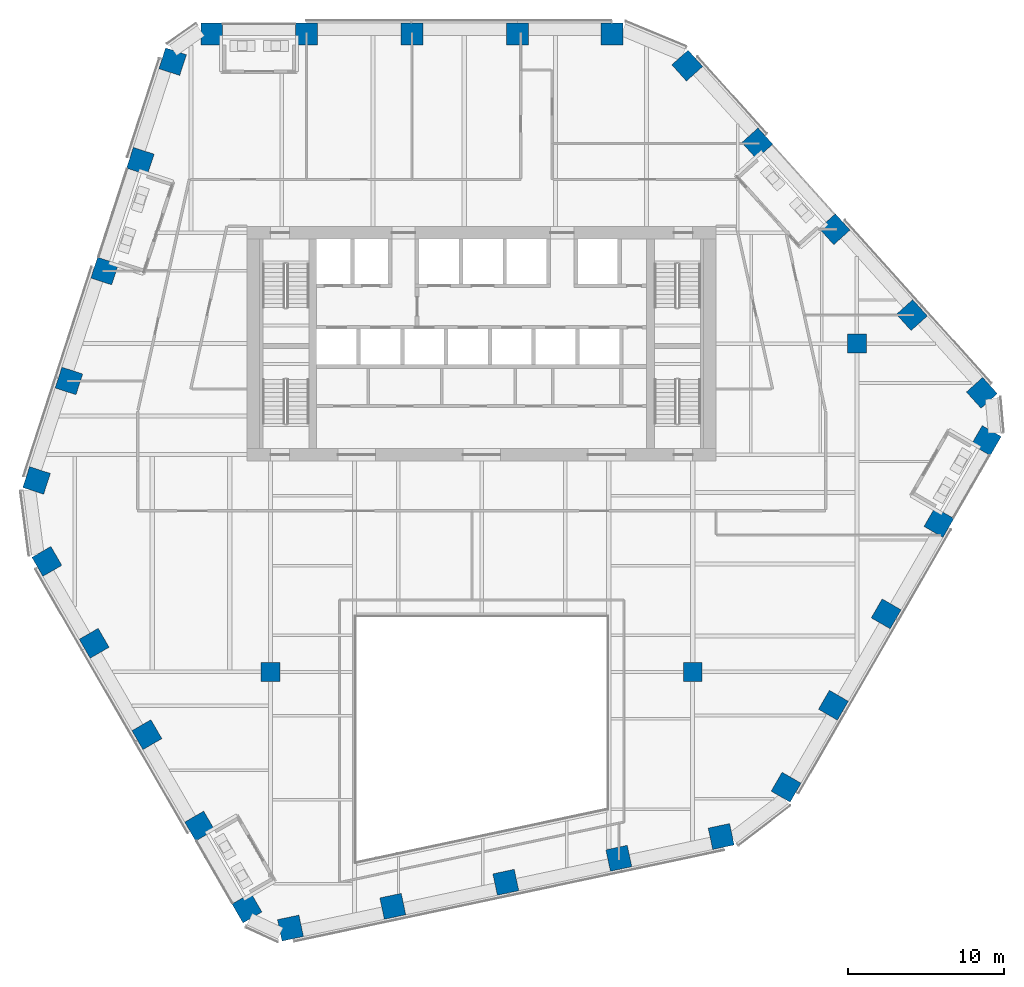
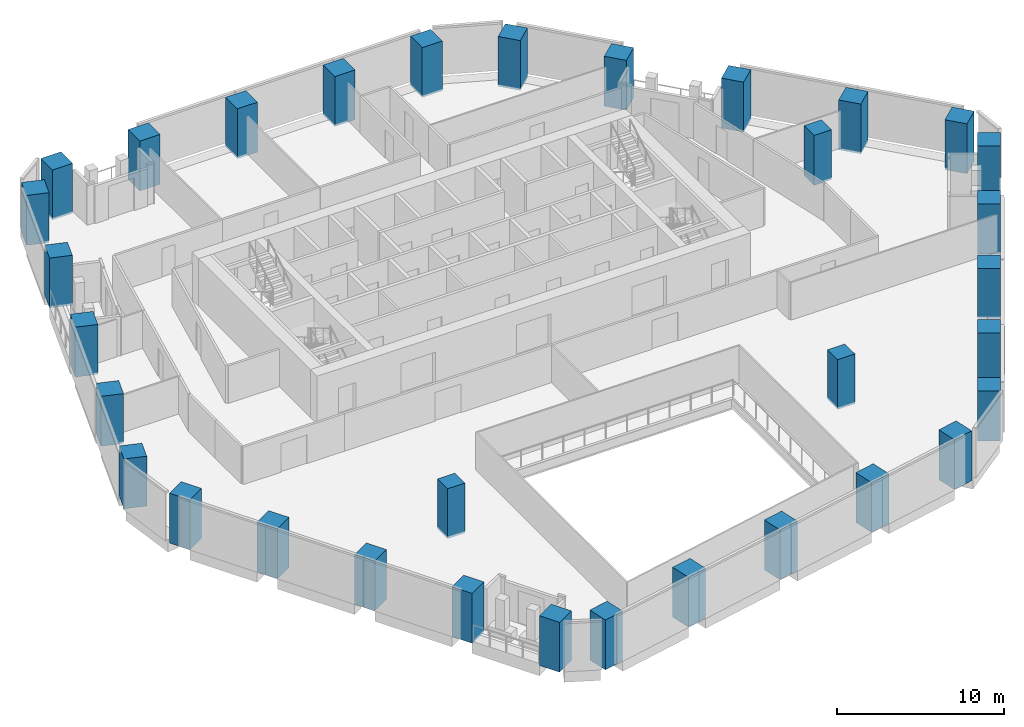
# One storey, part 1 of 26: 33 columns.
"""IFC4 building model written with IfcOpenShell, lengths in metres."""

from ifc_helpers import new_model, si_unit, direction, frame, origin, origin_2d, place, context, subcontext, project, spatial, rectangle, extrude, material, material_profile, profile_set, type_object, element, save


model = new_model("IFC4")

# Units and contexts
model_context = context("Model", 3, precision=1e-05, world=origin(), true_north=direction((0.0, 1.0)))
body_context = subcontext(model_context, "Body", "Model", "MODEL_VIEW")
ifc_project = project(units=[si_unit("LENGTHUNIT", "METRE"), si_unit("AREAUNIT", "SQUARE_METRE"), si_unit("VOLUMEUNIT", "CUBIC_METRE"), si_unit("PLANEANGLEUNIT", "RADIAN"), si_unit("MASSUNIT", "GRAM", prefix="KILO")], contexts=[model_context])

# Site, building, storey
site_placement = place(None, origin())
site = spatial("IfcSite", under=ifc_project, at=site_placement, CompositionType="ELEMENT")
building_placement = place(site_placement, origin())
building = spatial("IfcBuilding", under=site, at=building_placement, Name="Isthmus Gate Tower", CompositionType="ELEMENT")
storey_placement = place(building_placement, frame((0.0, 0.0, 144.39990234375)))
storey = spatial("IfcBuildingStorey", under=building, at=storey_placement, Name="L35", CompositionType="ELEMENT", Elevation=144.39990234375)

# Columns
ifc_material_1 = material(Name="Concrete f'c 60 MPa", Category="concrete")
ifc_material_profile_1 = material_profile(ifc_material_1, rectangle(XDim=1.199951171875, YDim=1.199951171875, at=origin_2d()), Name="RC 1200X1200")
ifc_profile_set_1 = profile_set([ifc_material_profile_1], Name="Concrete f'c 60 MPa")
column_type_1 = type_object("IfcColumnType", Name="RC INTERIOR COLUMN 1200 X 1200", PredefinedType="COLUMN", material=ifc_profile_set_1)
for number, where, z_axis, x_axis, name in (
    (1, (-13.5, -13.5, -0.14990234375), (0.0, 0.0, 1.0), (1.0, 0.0, 0.0), "str-icol-L35-ICB2"),
    (2, (13.5, -13.5, -0.14990234375), (0.0, 0.0, 1.0), (1.0, 0.0, 0.0), "str-icol-L35-ICD2"),
    (3, (24.0, 7.5, -0.14990234375), (0.0, 0.0, 1.0), (1.0, 0.0, 0.0), "str-icol-L35-ICE3"),
):
    element("IfcColumn", number, at=place(storey_placement, frame(where, z_axis=z_axis, x_axis=x_axis)), inside=storey, type_object=column_type_1, Name=name, PredefinedType="COLUMN", context=body_context, shape_type="SweptSolid", body=[
        extrude(rectangle(XDim=1.199951171875, YDim=1.199951171875, at=origin_2d()), origin(), (0.0, 0.0, 1.0), 3.64990234375),
    ])
ifc_material_2 = material(Name="Concrete f'c 60 MPa", Category="concrete")
ifc_material_profile_2 = material_profile(ifc_material_2, rectangle(XDim=1.39990234375, YDim=1.39990234375, at=origin_2d()), Name="RC 1400X1400")
ifc_profile_set_2 = profile_set([ifc_material_profile_2], Name="Concrete f'c 60 MPa")
column_type_2 = type_object("IfcColumnType", Name="RC TUBE COLUMN 1400 X 1400", PredefinedType="COLUMN", material=ifc_profile_set_2)
for number, where, z_axis, x_axis, name in (
    (4, (8.338623046875, 27.300048828125, -0.14990234375), (0.0, 0.0, 1.0), (-1.0, 0.0, 0.0), "str-tcol-L35-T2N0"),
    (5, (2.288330078125, 27.300048828125, -0.14990234375), (0.0, 0.0, 1.0), (-1.0, 0.0, 0.0), "str-tcol-L35-T2N1"),
    (6, (-4.461669921875, 27.300048828125, -0.14990234375), (0.0, 0.0, 1.0), (-1.0, 0.0, 0.0), "str-tcol-L35-T2N2"),
    (7, (-11.2119140625, 27.300048828125, -0.14990234375), (0.0, 0.0, 1.0), (-1.0, 0.0, 0.0), "str-tcol-L35-T2N3"),
    (8, (-17.261962890625, 27.300048828125, -0.14990234375), (0.0, 0.0, 1.0), (-1.0, 0.0, 0.0), "str-tcol-L35-T2N4"),
    (9, (-19.765380859375, 25.532958984375, -0.14990234375), (0.0, 0.0, 1.0), (-0.309016994375, -0.951056516295, 0.0), "str-tcol-L35-T2NW0"),
    (10, (-21.8330078125, 19.169677734375, -0.14990234375), (0.0, 0.0, 1.0), (-0.309016994375, -0.951056516295, 0.0), "str-tcol-L35-T2NW1"),
    (11, (-24.116943359375, 12.140625, -0.14990234375), (0.0, 0.0, 1.0), (-0.309016994375, -0.951056516295, 0.0), "str-tcol-L35-T2NW2"),
    (12, (-26.400634765625, 5.111328125, -0.14990234375), (0.0, 0.0, 1.0), (-0.309016994375, -0.951056516295, 0.0), "str-tcol-L35-T2NW3"),
    (13, (-28.46826171875, -1.251953125, -0.14990234375), (0.0, 0.0, 1.0), (-0.309016994375, -0.951056516295, 0.0), "str-tcol-L35-T2NW4"),
    (14, (-27.811767578125, -6.4287109375, -0.14990234375), (0.0, 0.0, 1.0), (0.5, -0.866025403784, 0.0), "str-tcol-L35-T2SW0"),
    (15, (-24.78662109375, -11.668212890625, -0.14990234375), (0.0, 0.0, 1.0), (0.5, -0.866025403784, 0.0), "str-tcol-L35-T2SW1"),
    (16, (-21.41162109375, -17.513916015625, -0.14990234375), (0.0, 0.0, 1.0), (0.5, -0.866025403784, 0.0), "str-tcol-L35-T2SW2"),
    (17, (-18.03662109375, -23.359619140625, -0.14990234375), (0.0, 0.0, 1.0), (0.5, -0.866025403784, 0.0), "str-tcol-L35-T2SW3"),
    (18, (-15.011474609375, -28.599365234375, -0.14990234375), (0.0, 0.0, 1.0), (0.5, -0.866025403784, 0.0), "str-tcol-L35-T2SW4"),
    (19, (-12.2294921875, -29.8837890625, -0.14990234375), (0.0, 0.0, 1.0), (0.978147600734, 0.207911690818, 0.0), "str-tcol-L35-T2S0"),
    (20, (-5.684814453125, -28.49267578125, -0.14990234375), (0.0, 0.0, 1.0), (0.978147600734, 0.207911690818, 0.0), "str-tcol-L35-T2S1"),
    (21, (1.54443359375, -26.9560546875, -0.14990234375), (0.0, 0.0, 1.0), (0.978147600734, 0.207911690818, 0.0), "str-tcol-L35-T2S2"),
    (22, (8.773681640625, -25.41943359375, -0.14990234375), (0.0, 0.0, 1.0), (0.978147600734, 0.207911690818, 0.0), "str-tcol-L35-T2S3"),
    (23, (15.318359375, -24.0283203125, -0.14990234375), (0.0, 0.0, 1.0), (0.978147600734, 0.207911690818, 0.0), "str-tcol-L35-T2S4"),
    (24, (19.47314453125, -20.871337890625, -0.14990234375), (0.0, 0.0, 1.0), (0.5, 0.866025403784, 0.0), "str-tcol-L35-T2SE0"),
    (25, (22.498291015625, -15.6318359375, -0.14990234375), (0.0, 0.0, 1.0), (0.5, 0.866025403784, 0.0), "str-tcol-L35-T2SE1"),
    (26, (25.873291015625, -9.7861328125, -0.14990234375), (0.0, 0.0, 1.0), (0.5, 0.866025403784, 0.0), "str-tcol-L35-T2SE2"),
    (27, (29.248291015625, -3.940185546875, -0.14990234375), (0.0, 0.0, 1.0), (0.5, 0.866025403784, 0.0), "str-tcol-L35-T2SE3"),
    (28, (32.2734375, 1.29931640625, -0.14990234375), (0.0, 0.0, 1.0), (0.5, 0.866025403784, 0.0), "str-tcol-L35-T2SE4"),
    (29, (31.994873046875, 4.350830078125, -0.14990234375), (0.0, 0.0, 1.0), (-0.669130606359, 0.743144825477, 0.0), "str-tcol-L35-T2NE0"),
    (30, (27.517822265625, 9.3232421875, -0.14990234375), (0.0, 0.0, 1.0), (-0.669130606359, 0.743144825477, 0.0), "str-tcol-L35-T2NE1"),
    (31, (22.572509765625, 14.815673828125, -0.14990234375), (0.0, 0.0, 1.0), (-0.669130606359, 0.743144825477, 0.0), "str-tcol-L35-T2NE2"),
    (32, (17.626953125, 20.30810546875, -0.14990234375), (0.0, 0.0, 1.0), (-0.669130606359, 0.743144825477, 0.0), "str-tcol-L35-T2NE3"),
    (33, (13.14990234375, 25.2802734375, -0.14990234375), (0.0, 0.0, 1.0), (-0.669130606359, 0.743144825477, 0.0), "str-tcol-L35-T2NE4"),
):
    element("IfcColumn", number, at=place(storey_placement, frame(where, z_axis=z_axis, x_axis=x_axis)), inside=storey, type_object=column_type_2, Name=name, PredefinedType="COLUMN", context=body_context, shape_type="SweptSolid", body=[
        extrude(rectangle(XDim=1.39990234375, YDim=1.39990234375, at=origin_2d()), origin(), (0.0, 0.0, 1.0), 3.64990234375),
    ])

save(model, "model.ifc")
